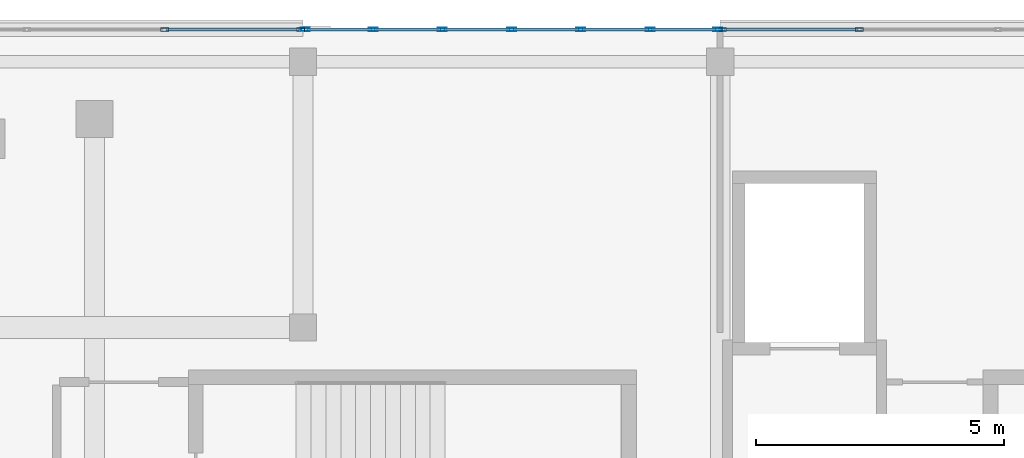
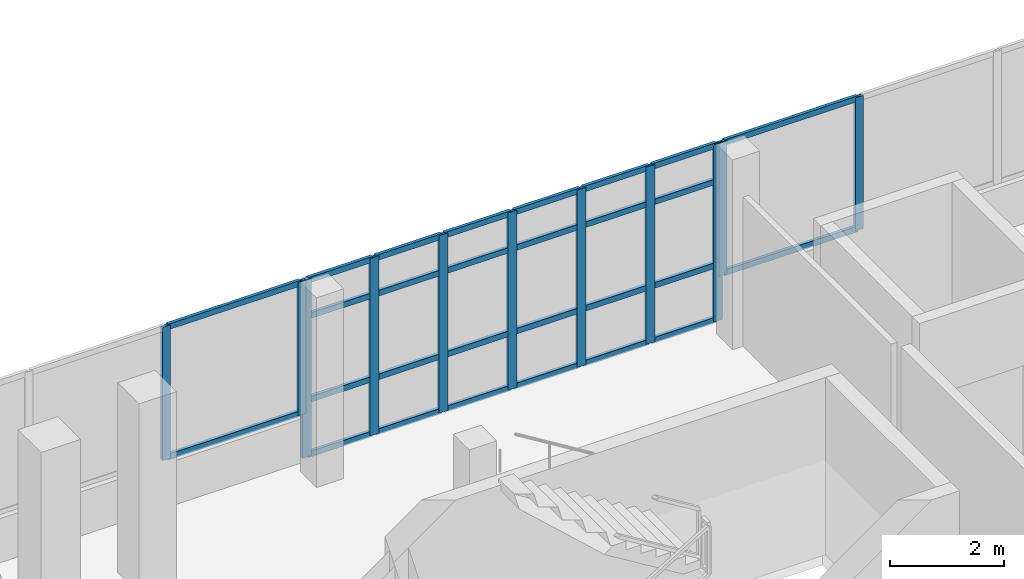
# One storey, part 33 of 66: 39 members, 3 elements without a shape of their own.
"""IFC4 building model written with IfcOpenShell, lengths in metres."""

from ifc_helpers import new_model, si_unit, direction, frame, origin, origin_2d, place, context, subcontext, project, spatial, hollow_rectangle, extrude, material, material_profile, profile_set, type_object, element, aggregate, save


model = new_model("IFC4")

# Units and contexts
model_context = context("Model", 3, precision=1e-05, world=origin(), true_north=direction((0.0, 1.0)))
body_context = subcontext(model_context, "Body", "Model", "MODEL_VIEW")
ifc_project = project(units=[si_unit("LENGTHUNIT", "METRE"), si_unit("AREAUNIT", "SQUARE_METRE"), si_unit("VOLUMEUNIT", "CUBIC_METRE"), si_unit("PLANEANGLEUNIT", "RADIAN"), si_unit("MASSUNIT", "GRAM", prefix="KILO")], contexts=[model_context])

# Site, building, storey
site_placement = place(None, origin())
site = spatial("IfcSite", under=ifc_project, at=site_placement, CompositionType="ELEMENT")
building_placement = place(site_placement, origin())
building = spatial("IfcBuilding", under=site, at=building_placement, Name="Selatvlak General Hospital", CompositionType="ELEMENT")
storey_placement = place(building_placement, frame((0.0, 0.0, 31.35009765625)))
storey = spatial("IfcBuildingStorey", under=building, at=storey_placement, Name="L07", CompositionType="ELEMENT", Elevation=31.35009765625)

# Curtain wall, members
ifc_material_1 = material(Name="Solar-control Low-E double glazing", Category="glass")
curtain_wall_type_1 = type_object("IfcCurtainWallType", Name="CW-CW-02", PredefinedType="USERDEFINED", material=ifc_material_1)
curtain_wall_1_placement = place(storey_placement, origin())
curtain_wall_1 = element("IfcCurtainWall", 1, at=curtain_wall_1_placement, inside=storey, type_object=curtain_wall_type_1, Name="Glazed facade curtain wall CW-L07-0650", ObjectType="UNITISED CURTAIN WALL", PredefinedType="USERDEFINED")
ifc_material_2 = material(Name="Dark anodised aluminium mullion", Category="aluminium")
ifc_material_profile_1 = material_profile(ifc_material_2, hollow_rectangle(XDim=0.06494140625, YDim=0.159912109375, WallThickness=0.00390625, at=origin_2d()), Name="AL-MUL 65x160x4")
ifc_profile_set_1 = profile_set([ifc_material_profile_1], Name="Dark anodised aluminium mullion")
member_type_1 = type_object("IfcMemberType", Name="CWM-01", PredefinedType="MULLION", material=ifc_profile_set_1)
member_1_placement = place(storey_placement, frame((87.211669921875, 119.9990234375, 0.93994140625), z_axis=(0.0, 0.0, 1.0), x_axis=(0.0, 1.0, 0.0)))
member_1 = element("IfcMember", 2, at=member_1_placement, type_object=member_type_1, Name="CW-02 mullion 3", PredefinedType="MULLION", context=body_context, shape_type="SweptSolid", body=[
    extrude(hollow_rectangle(XDim=0.06494140625, YDim=0.159912109375, WallThickness=0.00390625, at=origin_2d()), origin(), (0.0, 0.0, 1.0), 2.844970703125),
])
member_2_placement = place(storey_placement, frame((89.952392578125, 119.9990234375, 0.93994140625), z_axis=(0.0, 0.0, 1.0), x_axis=(0.0, 1.0, 0.0)))
member_2 = element("IfcMember", 3, at=member_2_placement, type_object=member_type_1, Name="CW-02 mullion 4", PredefinedType="MULLION", context=body_context, shape_type="SweptSolid", body=[
    extrude(hollow_rectangle(XDim=0.06494140625, YDim=0.159912109375, WallThickness=0.00390625, at=origin_2d()), origin(), (0.0, 0.0, 1.0), 2.844970703125),
])

curtain_wall_2_placement = place(storey_placement, origin())
curtain_wall_2 = element("IfcCurtainWall", 4, at=curtain_wall_2_placement, inside=storey, type_object=curtain_wall_type_1, Name="Glazed facade curtain wall CW-L07-0652", ObjectType="UNITISED CURTAIN WALL", PredefinedType="USERDEFINED")
member_3_placement = place(storey_placement, frame((98.446533203125, 120.0, 0.93994140625), z_axis=(0.0, 0.0, 1.0), x_axis=(0.0, 1.0, 0.0)))
member_3 = element("IfcMember", 5, at=member_3_placement, type_object=member_type_1, Name="CW-02 mullion 1", PredefinedType="MULLION", context=body_context, shape_type="SweptSolid", body=[
    extrude(hollow_rectangle(XDim=0.06494140625, YDim=0.159912109375, WallThickness=0.00390625, at=origin_2d()), origin(), (0.0, 0.0, 1.0), 2.844970703125),
])
member_4_placement = place(storey_placement, frame((101.2041015625, 120.0, 0.93994140625), z_axis=(0.0, 0.0, 1.0), x_axis=(0.0, 1.0, 0.0)))
member_4 = element("IfcMember", 6, at=member_4_placement, type_object=member_type_1, Name="CW-02 mullion 2", PredefinedType="MULLION", context=body_context, shape_type="SweptSolid", body=[
    extrude(hollow_rectangle(XDim=0.06494140625, YDim=0.159912109375, WallThickness=0.00390625, at=origin_2d()), origin(), (0.0, 0.0, 1.0), 2.844970703125),
])

curtain_wall_type_2 = type_object("IfcCurtainWallType", Name="CW-CW-04", PredefinedType="USERDEFINED", material=ifc_material_1)
curtain_wall_3_placement = place(storey_placement, origin())
curtain_wall_3 = element("IfcCurtainWall", 7, at=curtain_wall_3_placement, inside=storey, type_object=curtain_wall_type_2, Name="Glazed facade curtain wall CW-L07-0651", ObjectType="STICK GLAZING WALL", PredefinedType="USERDEFINED")
ifc_material_profile_2 = material_profile(ifc_material_2, hollow_rectangle(XDim=0.06494140625, YDim=0.179931640625, WallThickness=0.00439453125, at=origin_2d()), Name="AL-MUL 65x180x4.5")
ifc_profile_set_2 = profile_set([ifc_material_profile_2], Name="Dark anodised aluminium mullion")
member_type_2 = type_object("IfcMemberType", Name="CWM-02", PredefinedType="MULLION", material=ifc_profile_set_2)
member_5_placement = place(storey_placement, frame((90.047607421875, 119.9990234375, 0.0), z_axis=(0.0, 0.0, 1.0), x_axis=(-0.000119488591, 0.999999992861, 0.0)))
member_5 = element("IfcMember", 8, at=member_5_placement, type_object=member_type_2, Name="CW-04 mullion 1", PredefinedType="MULLION", context=body_context, shape_type="SweptSolid", body=[
    extrude(hollow_rectangle(XDim=0.06494140625, YDim=0.179931640625, WallThickness=0.00439453125, at=origin_2d()), origin(), (0.0, 0.0, 1.0), 3.784912109375),
])
member_6_placement = place(storey_placement, frame((91.409912109375, 119.999267578125, 0.0), z_axis=(0.0, 0.0, 1.0), x_axis=(-0.000119488591, 0.999999992861, 0.0)))
member_6 = element("IfcMember", 9, at=member_6_placement, type_object=member_type_2, Name="CW-04 mullion 2", PredefinedType="MULLION", context=body_context, shape_type="SweptSolid", body=[
    extrude(hollow_rectangle(XDim=0.06494140625, YDim=0.179931640625, WallThickness=0.00439453125, at=origin_2d()), origin(), (0.0, 0.0, 1.0), 3.784912109375),
])
member_7_placement = place(storey_placement, frame((92.8046875, 119.999267578125, 0.0), z_axis=(0.0, 0.0, 1.0), x_axis=(-0.000119488591, 0.999999992861, 0.0)))
member_7 = element("IfcMember", 10, at=member_7_placement, type_object=member_type_2, Name="CW-04 mullion 3", PredefinedType="MULLION", context=body_context, shape_type="SweptSolid", body=[
    extrude(hollow_rectangle(XDim=0.06494140625, YDim=0.179931640625, WallThickness=0.00439453125, at=origin_2d()), origin(), (0.0, 0.0, 1.0), 3.784912109375),
])
member_8_placement = place(storey_placement, frame((94.199462890625, 119.99951171875, 0.0), z_axis=(0.0, 0.0, 1.0), x_axis=(-0.000119488591, 0.999999992861, 0.0)))
member_8 = element("IfcMember", 11, at=member_8_placement, type_object=member_type_2, Name="CW-04 mullion 4", PredefinedType="MULLION", context=body_context, shape_type="SweptSolid", body=[
    extrude(hollow_rectangle(XDim=0.06494140625, YDim=0.179931640625, WallThickness=0.00439453125, at=origin_2d()), origin(), (0.0, 0.0, 1.0), 3.784912109375),
])
member_9_placement = place(storey_placement, frame((95.59423828125, 119.999755859375, 0.0), z_axis=(0.0, 0.0, 1.0), x_axis=(-0.000119488591, 0.999999992861, 0.0)))
member_9 = element("IfcMember", 12, at=member_9_placement, type_object=member_type_2, Name="CW-04 mullion 5", PredefinedType="MULLION", context=body_context, shape_type="SweptSolid", body=[
    extrude(hollow_rectangle(XDim=0.06494140625, YDim=0.179931640625, WallThickness=0.00439453125, at=origin_2d()), origin(), (0.0, 0.0, 1.0), 3.784912109375),
])
member_10_placement = place(storey_placement, frame((96.9892578125, 119.999755859375, 0.0), z_axis=(0.0, 0.0, 1.0), x_axis=(-0.000119488591, 0.999999992861, 0.0)))
member_10 = element("IfcMember", 13, at=member_10_placement, type_object=member_type_2, Name="CW-04 mullion 6", PredefinedType="MULLION", context=body_context, shape_type="SweptSolid", body=[
    extrude(hollow_rectangle(XDim=0.06494140625, YDim=0.179931640625, WallThickness=0.00439453125, at=origin_2d()), origin(), (0.0, 0.0, 1.0), 3.784912109375),
])
member_11_placement = place(storey_placement, frame((98.3515625, 120.0, 0.0), z_axis=(0.0, 0.0, 1.0), x_axis=(-0.000119488591, 0.999999992861, 0.0)))
member_11 = element("IfcMember", 14, at=member_11_placement, type_object=member_type_2, Name="CW-04 mullion 7", PredefinedType="MULLION", context=body_context, shape_type="SweptSolid", body=[
    extrude(hollow_rectangle(XDim=0.06494140625, YDim=0.179931640625, WallThickness=0.00439453125, at=origin_2d()), origin(), (0.0, 0.0, 1.0), 3.784912109375),
])

# Member
ifc_material_profile_3 = material_profile(ifc_material_2, hollow_rectangle(XDim=0.06494140625, YDim=0.1201171875, WallThickness=0.00390625, at=origin_2d()), Name="AL-TRN 65x120x4")
ifc_profile_set_3 = profile_set([ifc_material_profile_3], Name="Dark anodised aluminium mullion")
member_type_3 = type_object("IfcMemberType", Name="CWT-01", PredefinedType="USERDEFINED", material=ifc_profile_set_3)
member_12_placement = place(storey_placement, frame((87.244140625, 119.9990234375, 0.972412109375), z_axis=(1.0, 0.0, 0.0), x_axis=(0.0, 1.0, 0.0)))
member_12 = element("IfcMember", 15, at=member_12_placement, type_object=member_type_3, Name="CW-02 transom 3.1", ObjectType="TRANSOM", PredefinedType="USERDEFINED", context=body_context, shape_type="SweptSolid", body=[
    extrude(hollow_rectangle(XDim=0.06494140625, YDim=0.1201171875, WallThickness=0.00390625, at=origin_2d()), origin(), (0.0, 0.0, 1.0), 2.67578125),
])

member_13_placement = place(storey_placement, frame((87.244140625, 119.9990234375, 3.75244140625), z_axis=(1.0, 0.0, 0.0), x_axis=(0.0, 1.0, 0.0)))
member_13 = element("IfcMember", 16, at=member_13_placement, type_object=member_type_3, Name="CW-02 transom 3.2", ObjectType="TRANSOM", PredefinedType="USERDEFINED", context=body_context, shape_type="SweptSolid", body=[
    extrude(hollow_rectangle(XDim=0.06494140625, YDim=0.1201171875, WallThickness=0.00390625, at=origin_2d()), origin(), (0.0, 0.0, 1.0), 2.67578125),
])

aggregate(curtain_wall_1, [member_1, member_2, member_12, member_13])

member_14_placement = place(storey_placement, frame((90.080078125, 119.9990234375, 0.032470703125), z_axis=(0.999999982294, 0.000188182157, 0.0), x_axis=(-0.000188182157, 0.999999982294, 0.0)))
member_14 = element("IfcMember", 17, at=member_14_placement, type_object=member_type_3, Name="CW-04 transom 1.1", ObjectType="TRANSOM", PredefinedType="USERDEFINED", context=body_context, shape_type="SweptSolid", body=[
    extrude(hollow_rectangle(XDim=0.06494140625, YDim=0.1201171875, WallThickness=0.00390625, at=origin_2d()), origin(), (0.0, 0.0, 1.0), 1.29736328125),
])

member_15_placement = place(storey_placement, frame((90.080078125, 119.9990234375, 1.199951171875), z_axis=(0.999999982294, 0.000188182157, 0.0), x_axis=(-0.000188182157, 0.999999982294, 0.0)))
member_15 = element("IfcMember", 18, at=member_15_placement, type_object=member_type_3, Name="CW-04 transom 1.2", ObjectType="TRANSOM", PredefinedType="USERDEFINED", context=body_context, shape_type="SweptSolid", body=[
    extrude(hollow_rectangle(XDim=0.06494140625, YDim=0.1201171875, WallThickness=0.00390625, at=origin_2d()), origin(), (0.0, 0.0, 1.0), 1.29736328125),
])

member_16_placement = place(storey_placement, frame((90.080078125, 119.9990234375, 2.98486328125), z_axis=(0.999999982294, 0.000188182157, 0.0), x_axis=(-0.000188182157, 0.999999982294, 0.0)))
member_16 = element("IfcMember", 19, at=member_16_placement, type_object=member_type_3, Name="CW-04 transom 1.3", ObjectType="TRANSOM", PredefinedType="USERDEFINED", context=body_context, shape_type="SweptSolid", body=[
    extrude(hollow_rectangle(XDim=0.06494140625, YDim=0.1201171875, WallThickness=0.00390625, at=origin_2d()), origin(), (0.0, 0.0, 1.0), 1.29736328125),
])

member_17_placement = place(storey_placement, frame((90.080078125, 119.9990234375, 3.75244140625), z_axis=(0.999999982294, 0.000188182157, 0.0), x_axis=(-0.000188182157, 0.999999982294, 0.0)))
member_17 = element("IfcMember", 20, at=member_17_placement, type_object=member_type_3, Name="CW-04 transom 1.4", ObjectType="TRANSOM", PredefinedType="USERDEFINED", context=body_context, shape_type="SweptSolid", body=[
    extrude(hollow_rectangle(XDim=0.06494140625, YDim=0.1201171875, WallThickness=0.00390625, at=origin_2d()), origin(), (0.0, 0.0, 1.0), 1.29736328125),
])

member_18_placement = place(storey_placement, frame((91.4423828125, 119.999267578125, 0.032470703125), z_axis=(1.0, 0.0, 0.0), x_axis=(0.0, 1.0, 0.0)))
member_18 = element("IfcMember", 21, at=member_18_placement, type_object=member_type_3, Name="CW-04 transom 2.1", ObjectType="TRANSOM", PredefinedType="USERDEFINED", context=body_context, shape_type="SweptSolid", body=[
    extrude(hollow_rectangle(XDim=0.06494140625, YDim=0.1201171875, WallThickness=0.00390625, at=origin_2d()), origin(), (0.0, 0.0, 1.0), 1.329833984375),
])

member_19_placement = place(storey_placement, frame((91.4423828125, 119.999267578125, 1.199951171875), z_axis=(1.0, 0.0, 0.0), x_axis=(0.0, 1.0, 0.0)))
member_19 = element("IfcMember", 22, at=member_19_placement, type_object=member_type_3, Name="CW-04 transom 2.2", ObjectType="TRANSOM", PredefinedType="USERDEFINED", context=body_context, shape_type="SweptSolid", body=[
    extrude(hollow_rectangle(XDim=0.06494140625, YDim=0.1201171875, WallThickness=0.00390625, at=origin_2d()), origin(), (0.0, 0.0, 1.0), 1.329833984375),
])

member_20_placement = place(storey_placement, frame((91.4423828125, 119.999267578125, 2.98486328125), z_axis=(1.0, 0.0, 0.0), x_axis=(0.0, 1.0, 0.0)))
member_20 = element("IfcMember", 23, at=member_20_placement, type_object=member_type_3, Name="CW-04 transom 2.3", ObjectType="TRANSOM", PredefinedType="USERDEFINED", context=body_context, shape_type="SweptSolid", body=[
    extrude(hollow_rectangle(XDim=0.06494140625, YDim=0.1201171875, WallThickness=0.00390625, at=origin_2d()), origin(), (0.0, 0.0, 1.0), 1.329833984375),
])

member_21_placement = place(storey_placement, frame((91.4423828125, 119.999267578125, 3.75244140625), z_axis=(1.0, 0.0, 0.0), x_axis=(0.0, 1.0, 0.0)))
member_21 = element("IfcMember", 24, at=member_21_placement, type_object=member_type_3, Name="CW-04 transom 2.4", ObjectType="TRANSOM", PredefinedType="USERDEFINED", context=body_context, shape_type="SweptSolid", body=[
    extrude(hollow_rectangle(XDim=0.06494140625, YDim=0.1201171875, WallThickness=0.00390625, at=origin_2d()), origin(), (0.0, 0.0, 1.0), 1.329833984375),
])

member_22_placement = place(storey_placement, frame((92.837158203125, 119.999267578125, 0.032470703125), z_axis=(0.999999983148, 0.000183587293, 0.0), x_axis=(-0.000183587293, 0.999999983148, 0.0)))
member_22 = element("IfcMember", 25, at=member_22_placement, type_object=member_type_3, Name="CW-04 transom 3.1", ObjectType="TRANSOM", PredefinedType="USERDEFINED", context=body_context, shape_type="SweptSolid", body=[
    extrude(hollow_rectangle(XDim=0.06494140625, YDim=0.1201171875, WallThickness=0.00390625, at=origin_2d()), origin(), (0.0, 0.0, 1.0), 1.329833984375),
])

member_23_placement = place(storey_placement, frame((92.837158203125, 119.999267578125, 1.199951171875), z_axis=(0.999999983148, 0.000183587293, 0.0), x_axis=(-0.000183587293, 0.999999983148, 0.0)))
member_23 = element("IfcMember", 26, at=member_23_placement, type_object=member_type_3, Name="CW-04 transom 3.2", ObjectType="TRANSOM", PredefinedType="USERDEFINED", context=body_context, shape_type="SweptSolid", body=[
    extrude(hollow_rectangle(XDim=0.06494140625, YDim=0.1201171875, WallThickness=0.00390625, at=origin_2d()), origin(), (0.0, 0.0, 1.0), 1.329833984375),
])

member_24_placement = place(storey_placement, frame((92.837158203125, 119.999267578125, 2.98486328125), z_axis=(0.999999983148, 0.000183587293, 0.0), x_axis=(-0.000183587293, 0.999999983148, 0.0)))
member_24 = element("IfcMember", 27, at=member_24_placement, type_object=member_type_3, Name="CW-04 transom 3.3", ObjectType="TRANSOM", PredefinedType="USERDEFINED", context=body_context, shape_type="SweptSolid", body=[
    extrude(hollow_rectangle(XDim=0.06494140625, YDim=0.1201171875, WallThickness=0.00390625, at=origin_2d()), origin(), (0.0, 0.0, 1.0), 1.329833984375),
])

member_25_placement = place(storey_placement, frame((92.837158203125, 119.999267578125, 3.75244140625), z_axis=(0.999999983148, 0.000183587293, 0.0), x_axis=(-0.000183587293, 0.999999983148, 0.0)))
member_25 = element("IfcMember", 28, at=member_25_placement, type_object=member_type_3, Name="CW-04 transom 3.4", ObjectType="TRANSOM", PredefinedType="USERDEFINED", context=body_context, shape_type="SweptSolid", body=[
    extrude(hollow_rectangle(XDim=0.06494140625, YDim=0.1201171875, WallThickness=0.00390625, at=origin_2d()), origin(), (0.0, 0.0, 1.0), 1.329833984375),
])

member_26_placement = place(storey_placement, frame((94.23193359375, 119.99951171875, 0.032470703125), z_axis=(0.999999983148, 0.000183587293, 0.0), x_axis=(-0.000183587293, 0.999999983148, 0.0)))
member_26 = element("IfcMember", 29, at=member_26_placement, type_object=member_type_3, Name="CW-04 transom 4.1", ObjectType="TRANSOM", PredefinedType="USERDEFINED", context=body_context, shape_type="SweptSolid", body=[
    extrude(hollow_rectangle(XDim=0.06494140625, YDim=0.1201171875, WallThickness=0.00390625, at=origin_2d()), origin(), (0.0, 0.0, 1.0), 1.329833984375),
])

member_27_placement = place(storey_placement, frame((94.23193359375, 119.99951171875, 1.199951171875), z_axis=(0.999999983148, 0.000183587293, 0.0), x_axis=(-0.000183587293, 0.999999983148, 0.0)))
member_27 = element("IfcMember", 30, at=member_27_placement, type_object=member_type_3, Name="CW-04 transom 4.2", ObjectType="TRANSOM", PredefinedType="USERDEFINED", context=body_context, shape_type="SweptSolid", body=[
    extrude(hollow_rectangle(XDim=0.06494140625, YDim=0.1201171875, WallThickness=0.00390625, at=origin_2d()), origin(), (0.0, 0.0, 1.0), 1.329833984375),
])

member_28_placement = place(storey_placement, frame((94.23193359375, 119.99951171875, 2.98486328125), z_axis=(0.999999983148, 0.000183587293, 0.0), x_axis=(-0.000183587293, 0.999999983148, 0.0)))
member_28 = element("IfcMember", 31, at=member_28_placement, type_object=member_type_3, Name="CW-04 transom 4.3", ObjectType="TRANSOM", PredefinedType="USERDEFINED", context=body_context, shape_type="SweptSolid", body=[
    extrude(hollow_rectangle(XDim=0.06494140625, YDim=0.1201171875, WallThickness=0.00390625, at=origin_2d()), origin(), (0.0, 0.0, 1.0), 1.329833984375),
])

member_29_placement = place(storey_placement, frame((94.23193359375, 119.99951171875, 3.75244140625), z_axis=(0.999999983148, 0.000183587293, 0.0), x_axis=(-0.000183587293, 0.999999983148, 0.0)))
member_29 = element("IfcMember", 32, at=member_29_placement, type_object=member_type_3, Name="CW-04 transom 4.4", ObjectType="TRANSOM", PredefinedType="USERDEFINED", context=body_context, shape_type="SweptSolid", body=[
    extrude(hollow_rectangle(XDim=0.06494140625, YDim=0.1201171875, WallThickness=0.00390625, at=origin_2d()), origin(), (0.0, 0.0, 1.0), 1.329833984375),
])

member_30_placement = place(storey_placement, frame((95.626953125, 119.999755859375, 0.032470703125), z_axis=(1.0, 0.0, 0.0), x_axis=(0.0, 1.0, 0.0)))
member_30 = element("IfcMember", 33, at=member_30_placement, type_object=member_type_3, Name="CW-04 transom 5.1", ObjectType="TRANSOM", PredefinedType="USERDEFINED", context=body_context, shape_type="SweptSolid", body=[
    extrude(hollow_rectangle(XDim=0.06494140625, YDim=0.1201171875, WallThickness=0.00390625, at=origin_2d()), origin(), (0.0, 0.0, 1.0), 1.329833984375),
])

member_31_placement = place(storey_placement, frame((95.626953125, 119.999755859375, 1.199951171875), z_axis=(1.0, 0.0, 0.0), x_axis=(0.0, 1.0, 0.0)))
member_31 = element("IfcMember", 34, at=member_31_placement, type_object=member_type_3, Name="CW-04 transom 5.2", ObjectType="TRANSOM", PredefinedType="USERDEFINED", context=body_context, shape_type="SweptSolid", body=[
    extrude(hollow_rectangle(XDim=0.06494140625, YDim=0.1201171875, WallThickness=0.00390625, at=origin_2d()), origin(), (0.0, 0.0, 1.0), 1.329833984375),
])

member_32_placement = place(storey_placement, frame((95.626953125, 119.999755859375, 2.98486328125), z_axis=(1.0, 0.0, 0.0), x_axis=(0.0, 1.0, 0.0)))
member_32 = element("IfcMember", 35, at=member_32_placement, type_object=member_type_3, Name="CW-04 transom 5.3", ObjectType="TRANSOM", PredefinedType="USERDEFINED", context=body_context, shape_type="SweptSolid", body=[
    extrude(hollow_rectangle(XDim=0.06494140625, YDim=0.1201171875, WallThickness=0.00390625, at=origin_2d()), origin(), (0.0, 0.0, 1.0), 1.329833984375),
])

member_33_placement = place(storey_placement, frame((95.626953125, 119.999755859375, 3.75244140625), z_axis=(1.0, 0.0, 0.0), x_axis=(0.0, 1.0, 0.0)))
member_33 = element("IfcMember", 36, at=member_33_placement, type_object=member_type_3, Name="CW-04 transom 5.4", ObjectType="TRANSOM", PredefinedType="USERDEFINED", context=body_context, shape_type="SweptSolid", body=[
    extrude(hollow_rectangle(XDim=0.06494140625, YDim=0.1201171875, WallThickness=0.00390625, at=origin_2d()), origin(), (0.0, 0.0, 1.0), 1.329833984375),
])

member_34_placement = place(storey_placement, frame((97.021728515625, 119.999755859375, 0.032470703125), z_axis=(0.999999982294, 0.000188182157, 0.0), x_axis=(-0.000188182157, 0.999999982294, 0.0)))
member_34 = element("IfcMember", 37, at=member_34_placement, type_object=member_type_3, Name="CW-04 transom 6.1", ObjectType="TRANSOM", PredefinedType="USERDEFINED", context=body_context, shape_type="SweptSolid", body=[
    extrude(hollow_rectangle(XDim=0.06494140625, YDim=0.1201171875, WallThickness=0.00390625, at=origin_2d()), origin(), (0.0, 0.0, 1.0), 1.29736328125),
])

member_35_placement = place(storey_placement, frame((97.021728515625, 119.999755859375, 1.199951171875), z_axis=(0.999999982294, 0.000188182157, 0.0), x_axis=(-0.000188182157, 0.999999982294, 0.0)))
member_35 = element("IfcMember", 38, at=member_35_placement, type_object=member_type_3, Name="CW-04 transom 6.2", ObjectType="TRANSOM", PredefinedType="USERDEFINED", context=body_context, shape_type="SweptSolid", body=[
    extrude(hollow_rectangle(XDim=0.06494140625, YDim=0.1201171875, WallThickness=0.00390625, at=origin_2d()), origin(), (0.0, 0.0, 1.0), 1.29736328125),
])

member_36_placement = place(storey_placement, frame((97.021728515625, 119.999755859375, 2.98486328125), z_axis=(0.999999982294, 0.000188182157, 0.0), x_axis=(-0.000188182157, 0.999999982294, 0.0)))
member_36 = element("IfcMember", 39, at=member_36_placement, type_object=member_type_3, Name="CW-04 transom 6.3", ObjectType="TRANSOM", PredefinedType="USERDEFINED", context=body_context, shape_type="SweptSolid", body=[
    extrude(hollow_rectangle(XDim=0.06494140625, YDim=0.1201171875, WallThickness=0.00390625, at=origin_2d()), origin(), (0.0, 0.0, 1.0), 1.29736328125),
])

member_37_placement = place(storey_placement, frame((97.021728515625, 119.999755859375, 3.75244140625), z_axis=(0.999999982294, 0.000188182157, 0.0), x_axis=(-0.000188182157, 0.999999982294, 0.0)))
member_37 = element("IfcMember", 40, at=member_37_placement, type_object=member_type_3, Name="CW-04 transom 6.4", ObjectType="TRANSOM", PredefinedType="USERDEFINED", context=body_context, shape_type="SweptSolid", body=[
    extrude(hollow_rectangle(XDim=0.06494140625, YDim=0.1201171875, WallThickness=0.00390625, at=origin_2d()), origin(), (0.0, 0.0, 1.0), 1.29736328125),
])

aggregate(curtain_wall_3, [member_5, member_6, member_7, member_8, member_9, member_10, member_11, member_14, member_15, member_16, member_17, member_18, member_19, member_20, member_21, member_22, member_23, member_24, member_25, member_26, member_27, member_28, member_29, member_30, member_31, member_32, member_33, member_34, member_35, member_36, member_37])

member_38_placement = place(storey_placement, frame((98.47900390625, 120.0, 0.972412109375), z_axis=(1.0, 0.0, 0.0), x_axis=(0.0, 1.0, 0.0)))
member_38 = element("IfcMember", 41, at=member_38_placement, type_object=member_type_3, Name="CW-02 transom 1.1", ObjectType="TRANSOM", PredefinedType="USERDEFINED", context=body_context, shape_type="SweptSolid", body=[
    extrude(hollow_rectangle(XDim=0.06494140625, YDim=0.1201171875, WallThickness=0.00390625, at=origin_2d()), origin(), (0.0, 0.0, 1.0), 2.6923828125),
])

member_39_placement = place(storey_placement, frame((98.47900390625, 120.0, 3.75244140625), z_axis=(1.0, 0.0, 0.0), x_axis=(0.0, 1.0, 0.0)))
member_39 = element("IfcMember", 42, at=member_39_placement, type_object=member_type_3, Name="CW-02 transom 1.2", ObjectType="TRANSOM", PredefinedType="USERDEFINED", context=body_context, shape_type="SweptSolid", body=[
    extrude(hollow_rectangle(XDim=0.06494140625, YDim=0.1201171875, WallThickness=0.00390625, at=origin_2d()), origin(), (0.0, 0.0, 1.0), 2.6923828125),
])

aggregate(curtain_wall_2, [member_3, member_4, member_38, member_39])

save(model, "model.ifc")
